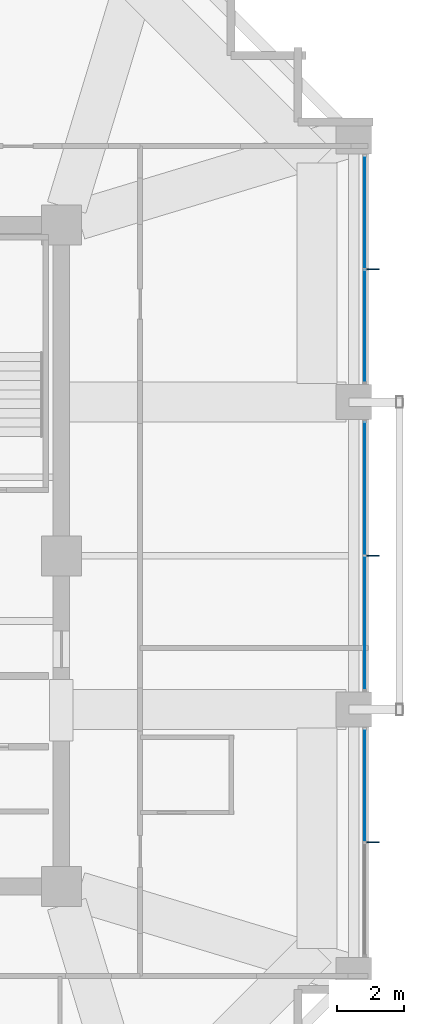
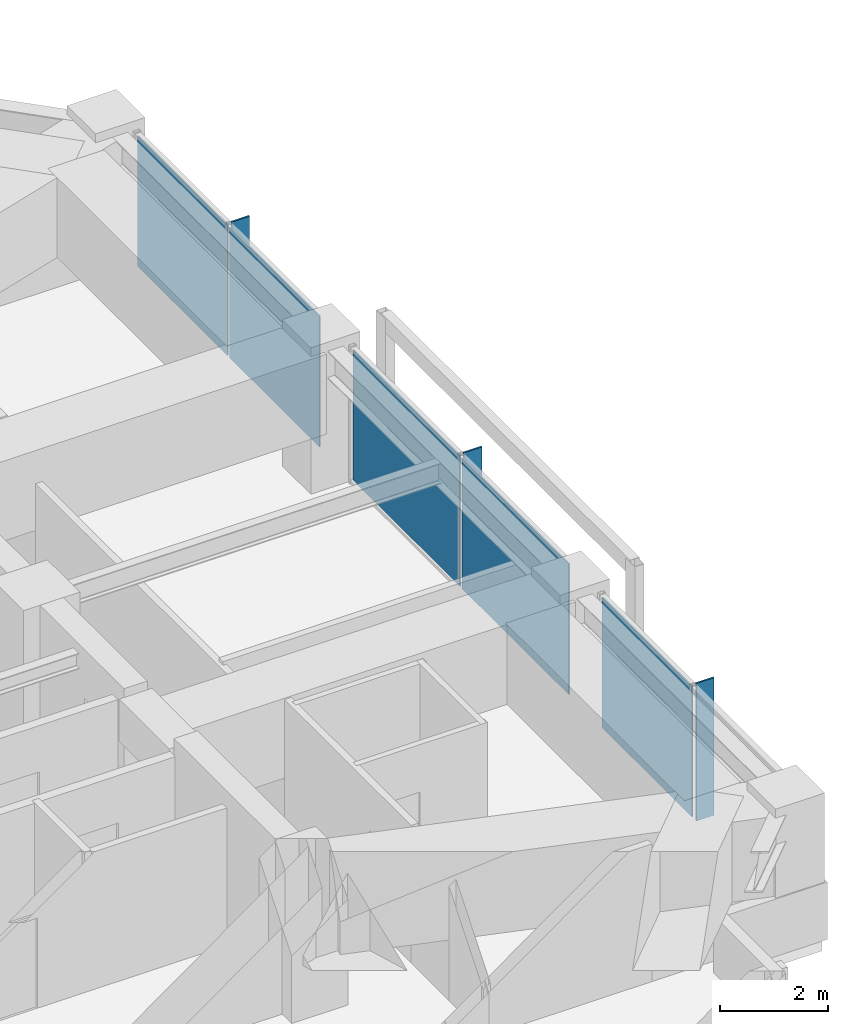
# One storey, part 22 of 28: 8 plates, 3 elements without a shape of their own.
"""IFC4 building model written with IfcOpenShell, lengths in metres."""

import ifcopenshell
import ifcopenshell.guid

model = None  # the IFC model being written
_history = None  # IfcOwnerHistory: only IFC2X3 demands one
_inside = {}  # id of a spatial element -> (the spatial element, [elements in it])
_under = {}  # id of a project, library or spatial element -> (it, [spatial elements below it])
_declared = {}  # id of a project -> (the project, [libraries it declares])
_typed = {}  # id of a type object -> (the type object, [elements of that type])
_made_of = {}  # id of a material, layer set ... -> (it, [elements and type objects made of it])


def new_model(schema):
    """Start an empty IFC model of exactly this schema.

    Asked for "IFC4X3", IfcOpenShell would pick the latest addendum, in which some entities
    have other attributes; the version numbers below select the first issue.
    IFC2X3 requires an IfcOwnerHistory on every rooted entity: one is made here for all.
    """
    global model, _history
    if schema == "IFC4X3":
        model = ifcopenshell.file(schema_version=(4, 3, 0, 0))
    else:
        model = ifcopenshell.file(schema=schema)
    _inside.clear()
    _under.clear()
    _declared.clear()
    _typed.clear()
    _made_of.clear()
    _history = None
    if model.schema == "IFC2X3":
        org = make("IfcOrganization", Name="unknown")
        user = make(
            "IfcPersonAndOrganization",
            ThePerson=make("IfcPerson", FamilyName="unknown"),
            TheOrganization=org,
        )
        app = make(
            "IfcApplication",
            ApplicationDeveloper=org,
            Version="unknown",
            ApplicationFullName="unknown",
            ApplicationIdentifier="unknown",
        )
        _history = make(
            "IfcOwnerHistory",
            OwningUser=user,
            OwningApplication=app,
            ChangeAction="ADDED",
            CreationDate=0,
        )
    return model


def make(cls, **values):
    """One entity of the class cls with the attributes given. An attribute that is None is left unset."""
    return model.create_entity(
        cls, **{name: value for name, value in values.items() if value is not None}
    )


def rooted(cls, **values):
    """An entity with a GlobalId (a new one), such as an element, a storey or a relation."""
    return make(cls, GlobalId=ifcopenshell.guid.new(), OwnerHistory=_history, **values)


def si_unit(unit_type, name, prefix=None):
    """IfcSIUnit, for example si_unit("LENGTHUNIT", "METRE", prefix="MILLI")."""
    return make("IfcSIUnit", UnitType=unit_type, Prefix=prefix, Name=name)


def assignment(units):
    """IfcUnitAssignment: the units of a project."""
    return None if units is None else make("IfcUnitAssignment", Units=units)


def point(xyz):
    """IfcCartesianPoint."""
    return None if xyz is None else make("IfcCartesianPoint", Coordinates=xyz)


def direction(xyz):
    """IfcDirection."""
    return None if xyz is None else make("IfcDirection", DirectionRatios=xyz)


def frame(location, z_axis=None, x_axis=None):
    """IfcAxis2Placement3D, a coordinate frame: its origin and axes. An axis left out is left unset."""
    return make(
        "IfcAxis2Placement3D",
        Location=point(location),
        Axis=direction(z_axis),
        RefDirection=direction(x_axis),
    )


def frame_2d(location, x_axis=None):
    """IfcAxis2Placement2D, a coordinate frame in the plane: its origin and x axis."""
    return make(
        "IfcAxis2Placement2D", Location=point(location), RefDirection=direction(x_axis)
    )


def origin():
    """The frame at (0, 0, 0) with its axes left unset."""
    return frame((0.0, 0.0, 0.0))


def origin_2d():
    """The frame at (0, 0) in the plane with its x axis left unset."""
    return frame_2d((0.0, 0.0))


def place(relative_to, where):
    """IfcLocalPlacement: puts the frame where relative to a parent placement (None: the world)."""
    return make(
        "IfcLocalPlacement", PlacementRelTo=relative_to, RelativePlacement=where
    )


def context(
    kind, dimensions, precision=None, world=None, true_north=None, identifier=None
):
    """IfcGeometricRepresentationContext, for example the 3D "Model" context."""
    return make(
        "IfcGeometricRepresentationContext",
        ContextIdentifier=identifier,
        ContextType=kind,
        CoordinateSpaceDimension=dimensions,
        Precision=precision,
        WorldCoordinateSystem=world,
        TrueNorth=true_north,
    )


def subcontext(parent, identifier, kind, view, scale=None):
    """IfcGeometricRepresentationSubContext, for example "Body" below "Model"."""
    return make(
        "IfcGeometricRepresentationSubContext",
        ContextIdentifier=identifier,
        ContextType=kind,
        ParentContext=parent,
        TargetScale=scale,
        TargetView=view,
    )


def project(units=None, contexts=None):
    """IfcProject with its units and contexts."""
    return rooted(
        "IfcProject",
        Name="project",
        RepresentationContexts=contexts,
        UnitsInContext=assignment(units),
    )


def spatial(cls, under=None, at=None, **own):
    """A site, building, storey or space (cls), placed at a placement, below another one or the project."""
    s = rooted(cls, ObjectPlacement=at, **own)
    if under is not None:
        _under.setdefault(under.id(), (under, []))[1].append(s)
    return s


def profile(cls, at=None, kind="AREA", **sizes):
    """A parametric profile (cls). Its sizes go by their IFC names, for example OverallWidth=200.0."""
    return make(cls, ProfileType=kind, Position=at, **sizes)


def rectangle(**sizes):
    """IfcRectangleProfileDef."""
    return profile("IfcRectangleProfileDef", **sizes)


def extrude(swept, where, along, depth):
    """IfcExtrudedAreaSolid: the profile swept, set in the frame where, extruded along a direction by depth."""
    return make(
        "IfcExtrudedAreaSolid",
        SweptArea=swept,
        Position=where,
        ExtrudedDirection=direction(along),
        Depth=depth,
    )


def shape(context_of_items, identifier, shape_type, items):
    """IfcShapeRepresentation: the items that make up one representation, for example the "Body"."""
    return make(
        "IfcShapeRepresentation",
        ContextOfItems=context_of_items,
        RepresentationIdentifier=identifier,
        RepresentationType=shape_type,
        Items=items,
    )


def material(Name=None, Category=None):
    """IfcMaterial."""
    return make("IfcMaterial", Name=Name, Category=Category)


def layer(
    of_material, thickness, ventilated=None, Name=None, Category=None, Priority=None
):
    """IfcMaterialLayer: one layer of a wall or slab, of a material (None: an air gap)."""
    return make(
        "IfcMaterialLayer",
        Material=of_material,
        LayerThickness=thickness,
        IsVentilated=ventilated,
        Name=Name,
        Category=Category,
        Priority=Priority,
    )


def layer_set(layers, Name=None):
    """IfcMaterialLayerSet."""
    return make("IfcMaterialLayerSet", MaterialLayers=layers, LayerSetName=Name)


def made_of(thing, what):
    """Note that an element or type object is made of a material, layer set ...; save() writes the relation."""
    if what is not None:
        _made_of.setdefault(what.id(), (what, []))[1].append(thing)
    return thing


def type_object(cls, material=None, **own):
    """A type object (cls), such as IfcWallType, which elements share."""
    return made_of(rooted(cls, **own), material)


def element(
    cls,
    number,
    at=None,
    inside=None,
    cuts=None,
    type_object=None,
    material=None,
    context=None,
    identifier="Body",
    shape_type=None,
    held_by="IfcProductDefinitionShape",
    body=None,
    shapes=None,
    **own,
):
    """One element of the class cls, such as IfcWall. Its Tag is "e" and its number.

    at: its placement. inside: the storey or other place that contains it. cuts: it is an
    opening in that element (IfcRelVoidsElement). A single representation is given by context,
    identifier, shape_type and body (its items); several are given by shapes. held_by: the class
    of the entity that holds the representations. save() writes the other relations.
    """
    e = rooted(cls, Tag="e%d" % number, ObjectPlacement=at, **own)
    if body is not None:
        shapes = [shape(context, identifier, shape_type, body)]
    if shapes is not None:
        e.Representation = make(held_by, Representations=shapes)
    if inside is not None:
        _inside.setdefault(inside.id(), (inside, []))[1].append(e)
    if cuts is not None:
        rooted(
            "IfcRelVoidsElement", RelatingBuildingElement=cuts, RelatedOpeningElement=e
        )
    if type_object is not None:
        _typed.setdefault(type_object.id(), (type_object, []))[1].append(e)
    return made_of(e, material)


def aggregate(whole, parts):
    """IfcRelAggregates: a whole, such as a stair, and the parts it consists of."""
    return rooted("IfcRelAggregates", RelatingObject=whole, RelatedObjects=parts)


def save(model, path):
    """Write the relations noted so far, then the file.

    IfcRelAggregates (storeys below a building ...), IfcRelContainedInSpatialStructure (elements
    in a storey), IfcRelDefinesByType, IfcRelAssociatesMaterial and IfcRelDeclares: one each for
    every whole, place, type object, material and project.
    """
    for whole, parts in _under.values():
        aggregate(whole, parts)
    for where, things in _inside.values():
        rooted(
            "IfcRelContainedInSpatialStructure",
            RelatedElements=things,
            RelatingStructure=where,
        )
    for kind, things in _typed.values():
        rooted("IfcRelDefinesByType", RelatedObjects=things, RelatingType=kind)
    for what, things in _made_of.values():
        rooted("IfcRelAssociatesMaterial", RelatedObjects=things, RelatingMaterial=what)
    for by, libraries in _declared.values():
        rooted("IfcRelDeclares", RelatingContext=by, RelatedDefinitions=libraries)
    model.write(path)


model = new_model("IFC4")

# Units and contexts
model_context = context("Model", 3, precision=1e-05, world=origin(), true_north=direction((0.0, 1.0)))
body_context = subcontext(model_context, "Body", "Model", "MODEL_VIEW")
ifc_project = project(units=[si_unit("LENGTHUNIT", "METRE"), si_unit("AREAUNIT", "SQUARE_METRE"), si_unit("VOLUMEUNIT", "CUBIC_METRE"), si_unit("PLANEANGLEUNIT", "RADIAN"), si_unit("MASSUNIT", "GRAM", prefix="KILO")], contexts=[model_context])

# Site, building, storey
site_placement = place(None, origin())
site = spatial("IfcSite", under=ifc_project, at=site_placement, CompositionType="ELEMENT")
building_placement = place(site_placement, origin())
building = spatial("IfcBuilding", under=site, at=building_placement, Name="Kolvaren Belvedere", CompositionType="ELEMENT")
storey_placement = place(building_placement, frame((0.0, 0.0, 125.0)))
storey = spatial("IfcBuildingStorey", under=building, at=storey_placement, Name="L36", CompositionType="ELEMENT", Elevation=125.0)

# Curtain wall, plates
ifc_material_1 = material(Name="Anodised pale-metal aluminium AA 6063-T6", Category="aluminium")
curtain_wall_type = type_object("IfcCurtainWallType", Name="CW-Z3-WAIST", PredefinedType="NOTDEFINED", material=ifc_material_1)
curtain_wall_1_placement = place(storey_placement, origin())
curtain_wall_1 = element("IfcCurtainWall", 1, at=curtain_wall_1_placement, inside=storey, type_object=curtain_wall_type, Name="L36 Unitised Curtain Wall FCW-L36-E-B1", PredefinedType="NOTDEFINED")
ifc_material_2 = material(Name="Low-iron triple insulated glass", Category="glass")
ifc_layer_1 = layer(ifc_material_2, 0.028076171875)
ifc_layer_set_1 = layer_set([ifc_layer_1], Name="Low-iron triple insulated glass")
plate_type_1 = type_object("IfcPlateType", Name="CW-PNL-VIS28", PredefinedType="CURTAIN_PANEL", material=ifc_layer_set_1)
plate_1_placement = place(storey_placement, frame((18.97998046875, 10.273681640625, 0.080078125), z_axis=(0.0, 0.0, 1.0), x_axis=(0.0, -1.0, 0.0)))
plate_1 = element("IfcPlate", 2, at=plate_1_placement, type_object=plate_type_1, Name="FCW-L36-E-B1 Vision Glazing Panel 1", PredefinedType="CURTAIN_PANEL", context=body_context, shape_type="SweptSolid", body=[
    extrude(rectangle(XDim=3.3173828125, YDim=0.028076171875, at=origin_2d()), origin(), (0.0, 0.0, 1.0), 2.93994140625),
])
plate_2_placement = place(storey_placement, frame((18.97998046875, 6.876220703125, 0.080078125), z_axis=(0.0, 0.0, 1.0), x_axis=(0.0, -1.0, 0.0)))
plate_2 = element("IfcPlate", 3, at=plate_2_placement, type_object=plate_type_1, Name="FCW-L36-E-B1 Vision Glazing Panel 2", PredefinedType="CURTAIN_PANEL", context=body_context, shape_type="SweptSolid", body=[
    extrude(rectangle(XDim=3.3173828125, YDim=0.028076171875, at=origin_2d()), origin(), (0.0, 0.0, 1.0), 2.93994140625),
])
aggregate(curtain_wall_1, [plate_1, plate_2])

curtain_wall_2_placement = place(storey_placement, origin())
curtain_wall_2 = element("IfcCurtainWall", 4, at=curtain_wall_2_placement, inside=storey, type_object=curtain_wall_type, Name="L36 Unitised Curtain Wall FCW-L36-E-B2", PredefinedType="NOTDEFINED")
plate_3_placement = place(storey_placement, frame((18.97998046875, 2.01123046875, 0.080078125), z_axis=(0.0, 0.0, 1.0), x_axis=(0.0, -1.0, 0.0)))
plate_3 = element("IfcPlate", 5, at=plate_3_placement, type_object=plate_type_1, Name="FCW-L36-E-B2 Vision Glazing Panel 1", PredefinedType="CURTAIN_PANEL", context=body_context, shape_type="SweptSolid", body=[
    extrude(rectangle(XDim=3.9423828125, YDim=0.028076171875, at=origin_2d()), origin(), (0.0, 0.0, 1.0), 2.93994140625),
])
plate_4_placement = place(storey_placement, frame((18.97998046875, -2.01123046875, 0.080078125), z_axis=(0.0, 0.0, 1.0), x_axis=(0.0, -1.0, 0.0)))
plate_4 = element("IfcPlate", 6, at=plate_4_placement, type_object=plate_type_1, Name="FCW-L36-E-B2 Vision Glazing Panel 2", PredefinedType="CURTAIN_PANEL", context=body_context, shape_type="SweptSolid", body=[
    extrude(rectangle(XDim=3.9423828125, YDim=0.028076171875, at=origin_2d()), origin(), (0.0, 0.0, 1.0), 2.93994140625),
])
aggregate(curtain_wall_2, [plate_3, plate_4])

# Curtain wall, plate
curtain_wall_3_placement = place(storey_placement, origin())
curtain_wall_3 = element("IfcCurtainWall", 7, at=curtain_wall_3_placement, inside=storey, type_object=curtain_wall_type, Name="L36 Unitised Curtain Wall FCW-L36-E-B3", PredefinedType="NOTDEFINED")
plate_5_placement = place(storey_placement, frame((18.97998046875, -6.876220703125, 0.080078125), z_axis=(0.0, 0.0, 1.0), x_axis=(0.0, -1.0, 0.0)))
plate_5 = element("IfcPlate", 8, at=plate_5_placement, type_object=plate_type_1, Name="FCW-L36-E-B3 Vision Glazing Panel 1", PredefinedType="CURTAIN_PANEL", context=body_context, shape_type="SweptSolid", body=[
    extrude(rectangle(XDim=3.3173828125, YDim=0.028076171875, at=origin_2d()), origin(), (0.0, 0.0, 1.0), 2.93994140625),
])
aggregate(curtain_wall_3, [plate_5])

# Plates
ifc_material_3 = material(Name="Anodised pale-metal aluminium AA 6063-T6", Category="aluminium")
ifc_layer_2 = layer(ifc_material_3, 0.033935546875)
ifc_layer_set_2 = layer_set([ifc_layer_2], Name="Anodised pale-metal aluminium AA 6063-T6")
plate_type_2 = type_object("IfcPlateType", Name="FIN-VERT-380", PredefinedType="USERDEFINED", material=ifc_layer_set_2)
for number, where, z_axis, x_axis, name in (
    (9, (19.219970703125, 8.574951171875, 0.0), (0.0, 0.0, 1.0), (1.0, 0.0, 0.0), "L36 Pale-Metal Vertical Shading Fin FCW-L36-E-B1-1"),
    (10, (19.219970703125, 0.0, 0.0), (0.0, 0.0, 1.0), (1.0, 0.0, 0.0), "L36 Pale-Metal Vertical Shading Fin FCW-L36-E-B2-1"),
    (11, (19.219970703125, -8.574951171875, 0.0), (0.0, 0.0, 1.0), (1.0, 0.0, 0.0), "L36 Pale-Metal Vertical Shading Fin FCW-L36-E-B3-1"),
):
    element("IfcPlate", number, at=place(storey_placement, frame(where, z_axis=z_axis, x_axis=x_axis)), inside=storey, type_object=plate_type_2, Name=name, ObjectType="VERTICAL FIN", PredefinedType="USERDEFINED", context=body_context, shape_type="SweptSolid", body=[
        extrude(rectangle(XDim=0.3798828125, YDim=0.033935546875, at=origin_2d()), origin(), (0.0, 0.0, 1.0), 3.10009765625),
    ])

save(model, "model.ifc")
